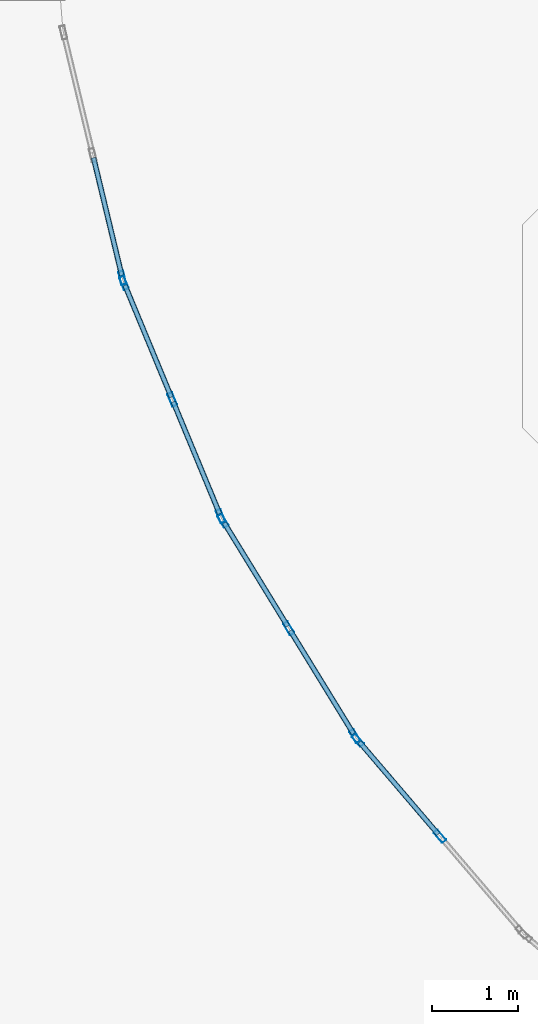
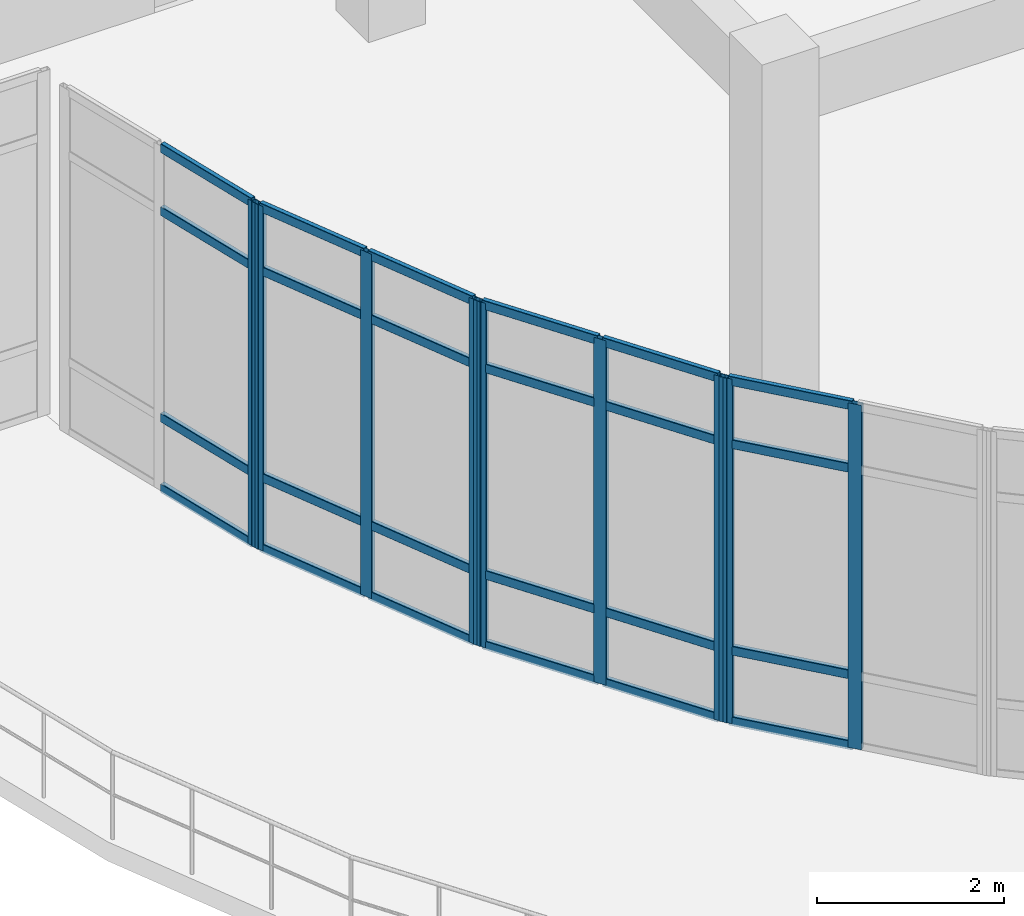
# One storey, part 4 of 76: 33 members, 4 elements without a shape of their own.
"""IFC4 building model written with IfcOpenShell, lengths in metres."""

from ifc_helpers import new_model, si_unit, derived_unit, direction, frame, origin, origin_2d, place, context, subcontext, project, spatial, hollow_rectangle, extrude, material, layer, layer_set, material_profile, profile_set, type_object, element, aggregate, save


model = new_model("IFC4")

# Units and contexts
model_context = context("Model", 3, precision=1e-05, world=origin(), true_north=direction((0.0, 1.0)))
body_context = subcontext(model_context, "Body", "Model", "MODEL_VIEW")
ifc_project = project(units=[si_unit("LENGTHUNIT", "METRE"), si_unit("AREAUNIT", "SQUARE_METRE"), si_unit("VOLUMEUNIT", "CUBIC_METRE"), si_unit("PLANEANGLEUNIT", "RADIAN"), si_unit("MASSUNIT", "GRAM", prefix="KILO"), derived_unit("THERMALTRANSMITTANCEUNIT", [(si_unit("MASSUNIT", "GRAM", prefix="KILO"), 1), (si_unit("TIMEUNIT", "SECOND"), -3), (si_unit("THERMODYNAMICTEMPERATUREUNIT", "KELVIN"), -1)])], contexts=[model_context])

# Site, building, storey
site_placement = place(None, origin())
site = spatial("IfcSite", under=ifc_project, at=site_placement, CompositionType="ELEMENT")
building_placement = place(site_placement, origin())
building = spatial("IfcBuilding", under=site, at=building_placement, Name="Qinzheling Arcade Emporium", CompositionType="ELEMENT")
storey_placement = place(building_placement, frame((0.0, 0.0, 26.699951171875)))
storey = spatial("IfcBuildingStorey", under=building, at=storey_placement, Name="L06", CompositionType="ELEMENT", Elevation=26.699951171875)

# Curtain wall, members
ifc_material_1 = material(Name="Anodised aluminium and solar-control double glazing", Category="aluminium")
ifc_layer = layer(ifc_material_1, 0.159912109375, Name="Anodised aluminium and solar-control double glazing", Category="aluminium")
ifc_layer_set = layer_set([ifc_layer], Name="Anodised aluminium and solar-control double glazing")
curtain_wall_type = type_object("IfcCurtainWallType", Name="Curved Ribbon Sales Curtain Wall", PredefinedType="NOTDEFINED", material=ifc_layer_set)
curtain_wall_1_placement = place(storey_placement, origin())
curtain_wall_1 = element("IfcCurtainWall", 1, at=curtain_wall_1_placement, inside=storey, type_object=curtain_wall_type, Name="Curtain Wall CW-L06-355", PredefinedType="NOTDEFINED")
ifc_material_2 = material(Name="Anodised aluminium 6063-T6", Category="aluminium")
ifc_material_profile_1 = material_profile(ifc_material_2, hollow_rectangle(XDim=0.06005859375, YDim=0.159912109375, WallThickness=0.00390625, InnerFilletRadius=0.00390625, OuterFilletRadius=0.008056640625, at=origin_2d()), Name="RHS 160x60x4", Category="aluminium")
ifc_profile_set_1 = profile_set([ifc_material_profile_1], Name="Anodised aluminium 6063-T6")
member_type_1 = type_object("IfcMemberType", Name="Curtain Wall Mullion RHS160x60", PredefinedType="MULLION", material=ifc_profile_set_1)
member_1_placement = place(storey_placement, frame((14.9970703125, 19.298583984375, 0.0), z_axis=(0.0, 0.0, 1.0), x_axis=(-0.760439246879, -0.649409078937, 0.0)))
member_1 = element("IfcMember", 2, at=member_1_placement, type_object=member_type_1, Name="CW02 mullion 2", PredefinedType="MULLION", context=body_context, shape_type="SweptSolid", body=[
    extrude(hollow_rectangle(XDim=0.06005859375, YDim=0.159912109375, WallThickness=0.00390625, InnerFilletRadius=0.00390625, OuterFilletRadius=0.008056640625, at=origin_2d()), origin(), (0.0, 0.0, 1.0), 4.489990234375),
])
member_2_placement = place(storey_placement, frame((14.048583984375, 20.4091796875, 0.0), z_axis=(0.0, 0.0, 1.0), x_axis=(-0.760439246879, -0.649409078937, 0.0)))
member_2 = element("IfcMember", 3, at=member_2_placement, type_object=member_type_1, Name="CW02 mullion 3", PredefinedType="MULLION", context=body_context, shape_type="SweptSolid", body=[
    extrude(hollow_rectangle(XDim=0.06005859375, YDim=0.159912109375, WallThickness=0.00390625, InnerFilletRadius=0.00390625, OuterFilletRadius=0.008056640625, at=origin_2d()), origin(), (0.0, 0.0, 1.0), 4.489990234375),
])

curtain_wall_2_placement = place(storey_placement, origin())
curtain_wall_2 = element("IfcCurtainWall", 4, at=curtain_wall_2_placement, inside=storey, type_object=curtain_wall_type, Name="Curtain Wall CW-L06-356", PredefinedType="NOTDEFINED")
member_3_placement = place(storey_placement, frame((14.013427734375, 20.45751953125, 0.0), z_axis=(0.0, 0.0, 1.0), x_axis=(-0.852601252413, -0.522562057926, 0.0)))
member_3 = element("IfcMember", 5, at=member_3_placement, type_object=member_type_1, Name="CW02 mullion 1", PredefinedType="MULLION", context=body_context, shape_type="SweptSolid", body=[
    extrude(hollow_rectangle(XDim=0.06005859375, YDim=0.159912109375, WallThickness=0.00390625, InnerFilletRadius=0.00390625, OuterFilletRadius=0.008056640625, at=origin_2d()), origin(), (0.0, 0.0, 1.0), 4.489990234375),
])
member_4_placement = place(storey_placement, frame((13.25, 21.702880859375, 0.0), z_axis=(0.0, 0.0, 1.0), x_axis=(-0.852601252413, -0.522562057926, 0.0)))
member_4 = element("IfcMember", 6, at=member_4_placement, type_object=member_type_1, Name="CW02 mullion 2", PredefinedType="MULLION", context=body_context, shape_type="SweptSolid", body=[
    extrude(hollow_rectangle(XDim=0.06005859375, YDim=0.159912109375, WallThickness=0.00390625, InnerFilletRadius=0.00390625, OuterFilletRadius=0.008056640625, at=origin_2d()), origin(), (0.0, 0.0, 1.0), 4.489990234375),
])
member_5_placement = place(storey_placement, frame((12.486572265625, 22.948486328125, 0.0), z_axis=(0.0, 0.0, 1.0), x_axis=(-0.852601252413, -0.522562057926, 0.0)))
member_5 = element("IfcMember", 7, at=member_5_placement, type_object=member_type_1, Name="CW02 mullion 3", PredefinedType="MULLION", context=body_context, shape_type="SweptSolid", body=[
    extrude(hollow_rectangle(XDim=0.06005859375, YDim=0.159912109375, WallThickness=0.00390625, InnerFilletRadius=0.00390625, OuterFilletRadius=0.008056640625, at=origin_2d()), origin(), (0.0, 0.0, 1.0), 4.489990234375),
])

curtain_wall_3_placement = place(storey_placement, origin())
curtain_wall_3 = element("IfcCurtainWall", 8, at=curtain_wall_3_placement, inside=storey, type_object=curtain_wall_type, Name="Curtain Wall CW-L06-357", PredefinedType="NOTDEFINED")
member_6_placement = place(storey_placement, frame((12.45947265625, 23.001708984375, 0.0), z_axis=(0.0, 0.0, 1.0), x_axis=(-0.923898307913, -0.382638101391, 0.0)))
member_6 = element("IfcMember", 9, at=member_6_placement, type_object=member_type_1, Name="CW02 mullion 1", PredefinedType="MULLION", context=body_context, shape_type="SweptSolid", body=[
    extrude(hollow_rectangle(XDim=0.06005859375, YDim=0.159912109375, WallThickness=0.00390625, InnerFilletRadius=0.00390625, OuterFilletRadius=0.008056640625, at=origin_2d()), origin(), (0.0, 0.0, 1.0), 4.489990234375),
])
member_7_placement = place(storey_placement, frame((11.900390625, 24.3515625, 0.0), z_axis=(0.0, 0.0, 1.0), x_axis=(-0.923898307913, -0.382638101391, 0.0)))
member_7 = element("IfcMember", 10, at=member_7_placement, type_object=member_type_1, Name="CW02 mullion 2", PredefinedType="MULLION", context=body_context, shape_type="SweptSolid", body=[
    extrude(hollow_rectangle(XDim=0.06005859375, YDim=0.159912109375, WallThickness=0.00390625, InnerFilletRadius=0.00390625, OuterFilletRadius=0.008056640625, at=origin_2d()), origin(), (0.0, 0.0, 1.0), 4.489990234375),
])
member_8_placement = place(storey_placement, frame((11.341552734375, 25.701171875, 0.0), z_axis=(0.0, 0.0, 1.0), x_axis=(-0.923898307913, -0.382638101391, 0.0)))
member_8 = element("IfcMember", 11, at=member_8_placement, type_object=member_type_1, Name="CW02 mullion 3", PredefinedType="MULLION", context=body_context, shape_type="SweptSolid", body=[
    extrude(hollow_rectangle(XDim=0.06005859375, YDim=0.159912109375, WallThickness=0.00390625, InnerFilletRadius=0.00390625, OuterFilletRadius=0.008056640625, at=origin_2d()), origin(), (0.0, 0.0, 1.0), 4.489990234375),
])

# Curtain wall, member
curtain_wall_4_placement = place(storey_placement, origin())
curtain_wall_4 = element("IfcCurtainWall", 12, at=curtain_wall_4_placement, inside=storey, type_object=curtain_wall_type, Name="Curtain Wall CW-L06-358", PredefinedType="NOTDEFINED")
member_9_placement = place(storey_placement, frame((11.322998046875, 25.758056640625, 0.0), z_axis=(0.0, 0.0, 1.0), x_axis=(-0.972369031298, -0.233449067193, 0.0)))
member_9 = element("IfcMember", 13, at=member_9_placement, type_object=member_type_1, Name="CW02 mullion 1", PredefinedType="MULLION", context=body_context, shape_type="SweptSolid", body=[
    extrude(hollow_rectangle(XDim=0.06005859375, YDim=0.159912109375, WallThickness=0.00390625, InnerFilletRadius=0.00390625, OuterFilletRadius=0.008056640625, at=origin_2d()), origin(), (0.0, 0.0, 1.0), 4.489990234375),
])

# Member
ifc_material_profile_2 = material_profile(ifc_material_2, hollow_rectangle(XDim=0.06005859375, YDim=0.1201171875, WallThickness=0.00390625, InnerFilletRadius=0.00390625, OuterFilletRadius=0.008056640625, at=origin_2d()), Name="RHS 120x60x4", Category="aluminium")
ifc_profile_set_2 = profile_set([ifc_material_profile_2], Name="Anodised aluminium 6063-T6")
member_type_2 = type_object("IfcMemberType", Name="Curtain Wall Transom RHS120x60", PredefinedType="USERDEFINED", material=ifc_profile_set_2)
member_10_placement = place(storey_placement, frame((14.9775390625, 19.3212890625, 0.030029296875), z_axis=(-0.649412368865, 0.760436437294, 0.0), x_axis=(-0.760436437294, -0.649412368865, 0.0)))
member_10 = element("IfcMember", 14, at=member_10_placement, type_object=member_type_2, Name="CW02 transom 2.1", ObjectType="TRANSOM", PredefinedType="USERDEFINED", context=body_context, shape_type="SweptSolid", body=[
    extrude(hollow_rectangle(XDim=0.06005859375, YDim=0.1201171875, WallThickness=0.00390625, InnerFilletRadius=0.00390625, OuterFilletRadius=0.008056640625, at=origin_2d()), origin(), (0.0, 0.0, 1.0), 1.400634765625),
])

member_11_placement = place(storey_placement, frame((14.9775390625, 19.3212890625, 0.949951171875), z_axis=(-0.649412368865, 0.760436437294, 0.0), x_axis=(-0.760436437294, -0.649412368865, 0.0)))
member_11 = element("IfcMember", 15, at=member_11_placement, type_object=member_type_2, Name="CW02 transom 2.2", ObjectType="TRANSOM", PredefinedType="USERDEFINED", context=body_context, shape_type="SweptSolid", body=[
    extrude(hollow_rectangle(XDim=0.06005859375, YDim=0.1201171875, WallThickness=0.00390625, InnerFilletRadius=0.00390625, OuterFilletRadius=0.008056640625, at=origin_2d()), origin(), (0.0, 0.0, 1.0), 1.400634765625),
])

member_12_placement = place(storey_placement, frame((14.9775390625, 19.3212890625, 3.64013671875), z_axis=(-0.649412368865, 0.760436437294, 0.0), x_axis=(-0.760436437294, -0.649412368865, 0.0)))
member_12 = element("IfcMember", 16, at=member_12_placement, type_object=member_type_2, Name="CW02 transom 2.3", ObjectType="TRANSOM", PredefinedType="USERDEFINED", context=body_context, shape_type="SweptSolid", body=[
    extrude(hollow_rectangle(XDim=0.06005859375, YDim=0.1201171875, WallThickness=0.00390625, InnerFilletRadius=0.00390625, OuterFilletRadius=0.008056640625, at=origin_2d()), origin(), (0.0, 0.0, 1.0), 1.400634765625),
])

member_13_placement = place(storey_placement, frame((14.9775390625, 19.3212890625, 4.4599609375), z_axis=(-0.649412368865, 0.760436437294, 0.0), x_axis=(-0.760436437294, -0.649412368865, 0.0)))
member_13 = element("IfcMember", 17, at=member_13_placement, type_object=member_type_2, Name="CW02 transom 2.4", ObjectType="TRANSOM", PredefinedType="USERDEFINED", context=body_context, shape_type="SweptSolid", body=[
    extrude(hollow_rectangle(XDim=0.06005859375, YDim=0.1201171875, WallThickness=0.00390625, InnerFilletRadius=0.00390625, OuterFilletRadius=0.008056640625, at=origin_2d()), origin(), (0.0, 0.0, 1.0), 1.400634765625),
])

aggregate(curtain_wall_1, [member_1, member_2, member_10, member_11, member_12, member_13])

member_14_placement = place(storey_placement, frame((13.99755859375, 20.483154296875, 0.030029296875), z_axis=(-0.522521187529, 0.852626300664, 0.0), x_axis=(-0.852626300664, -0.522521187529, 0.0)))
member_14 = element("IfcMember", 18, at=member_14_placement, type_object=member_type_2, Name="CW02 transom 1.1", ObjectType="TRANSOM", PredefinedType="USERDEFINED", context=body_context, shape_type="SweptSolid", body=[
    extrude(hollow_rectangle(XDim=0.06005859375, YDim=0.1201171875, WallThickness=0.00390625, InnerFilletRadius=0.00390625, OuterFilletRadius=0.008056640625, at=origin_2d()), origin(), (0.0, 0.0, 1.0), 1.40087890625),
])

member_15_placement = place(storey_placement, frame((13.99755859375, 20.483154296875, 0.949951171875), z_axis=(-0.522521187529, 0.852626300664, 0.0), x_axis=(-0.852626300664, -0.522521187529, 0.0)))
member_15 = element("IfcMember", 19, at=member_15_placement, type_object=member_type_2, Name="CW02 transom 1.2", ObjectType="TRANSOM", PredefinedType="USERDEFINED", context=body_context, shape_type="SweptSolid", body=[
    extrude(hollow_rectangle(XDim=0.06005859375, YDim=0.1201171875, WallThickness=0.00390625, InnerFilletRadius=0.00390625, OuterFilletRadius=0.008056640625, at=origin_2d()), origin(), (0.0, 0.0, 1.0), 1.40087890625),
])

member_16_placement = place(storey_placement, frame((13.99755859375, 20.483154296875, 3.64013671875), z_axis=(-0.522521187529, 0.852626300664, 0.0), x_axis=(-0.852626300664, -0.522521187529, 0.0)))
member_16 = element("IfcMember", 20, at=member_16_placement, type_object=member_type_2, Name="CW02 transom 1.3", ObjectType="TRANSOM", PredefinedType="USERDEFINED", context=body_context, shape_type="SweptSolid", body=[
    extrude(hollow_rectangle(XDim=0.06005859375, YDim=0.1201171875, WallThickness=0.00390625, InnerFilletRadius=0.00390625, OuterFilletRadius=0.008056640625, at=origin_2d()), origin(), (0.0, 0.0, 1.0), 1.40087890625),
])

member_17_placement = place(storey_placement, frame((13.99755859375, 20.483154296875, 4.4599609375), z_axis=(-0.522521187529, 0.852626300664, 0.0), x_axis=(-0.852626300664, -0.522521187529, 0.0)))
member_17 = element("IfcMember", 21, at=member_17_placement, type_object=member_type_2, Name="CW02 transom 1.4", ObjectType="TRANSOM", PredefinedType="USERDEFINED", context=body_context, shape_type="SweptSolid", body=[
    extrude(hollow_rectangle(XDim=0.06005859375, YDim=0.1201171875, WallThickness=0.00390625, InnerFilletRadius=0.00390625, OuterFilletRadius=0.008056640625, at=origin_2d()), origin(), (0.0, 0.0, 1.0), 1.40087890625),
])

member_18_placement = place(storey_placement, frame((13.234375, 21.728515625, 0.030029296875), z_axis=(-0.522521187529, 0.852626300664, 0.0), x_axis=(-0.852626300664, -0.522521187529, 0.0)))
member_18 = element("IfcMember", 22, at=member_18_placement, type_object=member_type_2, Name="CW02 transom 2.1", ObjectType="TRANSOM", PredefinedType="USERDEFINED", context=body_context, shape_type="SweptSolid", body=[
    extrude(hollow_rectangle(XDim=0.06005859375, YDim=0.1201171875, WallThickness=0.00390625, InnerFilletRadius=0.00390625, OuterFilletRadius=0.008056640625, at=origin_2d()), origin(), (0.0, 0.0, 1.0), 1.40087890625),
])

member_19_placement = place(storey_placement, frame((13.234375, 21.728515625, 0.949951171875), z_axis=(-0.522521187529, 0.852626300664, 0.0), x_axis=(-0.852626300664, -0.522521187529, 0.0)))
member_19 = element("IfcMember", 23, at=member_19_placement, type_object=member_type_2, Name="CW02 transom 2.2", ObjectType="TRANSOM", PredefinedType="USERDEFINED", context=body_context, shape_type="SweptSolid", body=[
    extrude(hollow_rectangle(XDim=0.06005859375, YDim=0.1201171875, WallThickness=0.00390625, InnerFilletRadius=0.00390625, OuterFilletRadius=0.008056640625, at=origin_2d()), origin(), (0.0, 0.0, 1.0), 1.40087890625),
])

member_20_placement = place(storey_placement, frame((13.234375, 21.728515625, 3.64013671875), z_axis=(-0.522521187529, 0.852626300664, 0.0), x_axis=(-0.852626300664, -0.522521187529, 0.0)))
member_20 = element("IfcMember", 24, at=member_20_placement, type_object=member_type_2, Name="CW02 transom 2.3", ObjectType="TRANSOM", PredefinedType="USERDEFINED", context=body_context, shape_type="SweptSolid", body=[
    extrude(hollow_rectangle(XDim=0.06005859375, YDim=0.1201171875, WallThickness=0.00390625, InnerFilletRadius=0.00390625, OuterFilletRadius=0.008056640625, at=origin_2d()), origin(), (0.0, 0.0, 1.0), 1.40087890625),
])

member_21_placement = place(storey_placement, frame((13.234375, 21.728515625, 4.4599609375), z_axis=(-0.522521187529, 0.852626300664, 0.0), x_axis=(-0.852626300664, -0.522521187529, 0.0)))
member_21 = element("IfcMember", 25, at=member_21_placement, type_object=member_type_2, Name="CW02 transom 2.4", ObjectType="TRANSOM", PredefinedType="USERDEFINED", context=body_context, shape_type="SweptSolid", body=[
    extrude(hollow_rectangle(XDim=0.06005859375, YDim=0.1201171875, WallThickness=0.00390625, InnerFilletRadius=0.00390625, OuterFilletRadius=0.008056640625, at=origin_2d()), origin(), (0.0, 0.0, 1.0), 1.40087890625),
])

aggregate(curtain_wall_2, [member_3, member_4, member_5, member_14, member_15, member_16, member_17, member_18, member_19, member_20, member_21])

member_22_placement = place(storey_placement, frame((12.447998046875, 23.029541015625, 0.030029296875), z_axis=(-0.382721202621, 0.923863886655, 0.0), x_axis=(-0.923863886655, -0.382721202621, 0.0)))
member_22 = element("IfcMember", 26, at=member_22_placement, type_object=member_type_2, Name="CW02 transom 1.1", ObjectType="TRANSOM", PredefinedType="USERDEFINED", context=body_context, shape_type="SweptSolid", body=[
    extrude(hollow_rectangle(XDim=0.06005859375, YDim=0.1201171875, WallThickness=0.00390625, InnerFilletRadius=0.00390625, OuterFilletRadius=0.008056640625, at=origin_2d()), origin(), (0.0, 0.0, 1.0), 1.40087890625),
])

member_23_placement = place(storey_placement, frame((12.447998046875, 23.029541015625, 0.949951171875), z_axis=(-0.382721202621, 0.923863886655, 0.0), x_axis=(-0.923863886655, -0.382721202621, 0.0)))
member_23 = element("IfcMember", 27, at=member_23_placement, type_object=member_type_2, Name="CW02 transom 1.2", ObjectType="TRANSOM", PredefinedType="USERDEFINED", context=body_context, shape_type="SweptSolid", body=[
    extrude(hollow_rectangle(XDim=0.06005859375, YDim=0.1201171875, WallThickness=0.00390625, InnerFilletRadius=0.00390625, OuterFilletRadius=0.008056640625, at=origin_2d()), origin(), (0.0, 0.0, 1.0), 1.40087890625),
])

member_24_placement = place(storey_placement, frame((12.447998046875, 23.029541015625, 3.64013671875), z_axis=(-0.382721202621, 0.923863886655, 0.0), x_axis=(-0.923863886655, -0.382721202621, 0.0)))
member_24 = element("IfcMember", 28, at=member_24_placement, type_object=member_type_2, Name="CW02 transom 1.3", ObjectType="TRANSOM", PredefinedType="USERDEFINED", context=body_context, shape_type="SweptSolid", body=[
    extrude(hollow_rectangle(XDim=0.06005859375, YDim=0.1201171875, WallThickness=0.00390625, InnerFilletRadius=0.00390625, OuterFilletRadius=0.008056640625, at=origin_2d()), origin(), (0.0, 0.0, 1.0), 1.40087890625),
])

member_25_placement = place(storey_placement, frame((12.447998046875, 23.029541015625, 4.4599609375), z_axis=(-0.382721202621, 0.923863886655, 0.0), x_axis=(-0.923863886655, -0.382721202621, 0.0)))
member_25 = element("IfcMember", 29, at=member_25_placement, type_object=member_type_2, Name="CW02 transom 1.4", ObjectType="TRANSOM", PredefinedType="USERDEFINED", context=body_context, shape_type="SweptSolid", body=[
    extrude(hollow_rectangle(XDim=0.06005859375, YDim=0.1201171875, WallThickness=0.00390625, InnerFilletRadius=0.00390625, OuterFilletRadius=0.008056640625, at=origin_2d()), origin(), (0.0, 0.0, 1.0), 1.40087890625),
])

member_26_placement = place(storey_placement, frame((11.888916015625, 24.379150390625, 0.030029296875), z_axis=(-0.382510836698, 0.923951005091, 0.0), x_axis=(-0.923951005091, -0.382510836698, 0.0)))
member_26 = element("IfcMember", 30, at=member_26_placement, type_object=member_type_2, Name="CW02 transom 2.1", ObjectType="TRANSOM", PredefinedType="USERDEFINED", context=body_context, shape_type="SweptSolid", body=[
    extrude(hollow_rectangle(XDim=0.06005859375, YDim=0.1201171875, WallThickness=0.00390625, InnerFilletRadius=0.00390625, OuterFilletRadius=0.008056640625, at=origin_2d()), origin(), (0.0, 0.0, 1.0), 1.40087890625),
])

member_27_placement = place(storey_placement, frame((11.888916015625, 24.379150390625, 0.949951171875), z_axis=(-0.382510836698, 0.923951005091, 0.0), x_axis=(-0.923951005091, -0.382510836698, 0.0)))
member_27 = element("IfcMember", 31, at=member_27_placement, type_object=member_type_2, Name="CW02 transom 2.2", ObjectType="TRANSOM", PredefinedType="USERDEFINED", context=body_context, shape_type="SweptSolid", body=[
    extrude(hollow_rectangle(XDim=0.06005859375, YDim=0.1201171875, WallThickness=0.00390625, InnerFilletRadius=0.00390625, OuterFilletRadius=0.008056640625, at=origin_2d()), origin(), (0.0, 0.0, 1.0), 1.40087890625),
])

member_28_placement = place(storey_placement, frame((11.888916015625, 24.379150390625, 3.64013671875), z_axis=(-0.382510836698, 0.923951005091, 0.0), x_axis=(-0.923951005091, -0.382510836698, 0.0)))
member_28 = element("IfcMember", 32, at=member_28_placement, type_object=member_type_2, Name="CW02 transom 2.3", ObjectType="TRANSOM", PredefinedType="USERDEFINED", context=body_context, shape_type="SweptSolid", body=[
    extrude(hollow_rectangle(XDim=0.06005859375, YDim=0.1201171875, WallThickness=0.00390625, InnerFilletRadius=0.00390625, OuterFilletRadius=0.008056640625, at=origin_2d()), origin(), (0.0, 0.0, 1.0), 1.40087890625),
])

member_29_placement = place(storey_placement, frame((11.888916015625, 24.379150390625, 4.4599609375), z_axis=(-0.382510836698, 0.923951005091, 0.0), x_axis=(-0.923951005091, -0.382510836698, 0.0)))
member_29 = element("IfcMember", 33, at=member_29_placement, type_object=member_type_2, Name="CW02 transom 2.4", ObjectType="TRANSOM", PredefinedType="USERDEFINED", context=body_context, shape_type="SweptSolid", body=[
    extrude(hollow_rectangle(XDim=0.06005859375, YDim=0.1201171875, WallThickness=0.00390625, InnerFilletRadius=0.00390625, OuterFilletRadius=0.008056640625, at=origin_2d()), origin(), (0.0, 0.0, 1.0), 1.40087890625),
])

aggregate(curtain_wall_3, [member_6, member_7, member_8, member_22, member_23, member_24, member_25, member_26, member_27, member_28, member_29])

member_30_placement = place(storey_placement, frame((11.31591796875, 25.787353515625, 0.030029296875), z_axis=(-0.233379544524, 0.972385719865, 0.0), x_axis=(-0.972385719865, -0.233379544524, 0.0)))
member_30 = element("IfcMember", 34, at=member_30_placement, type_object=member_type_2, Name="CW02 transom 1.1", ObjectType="TRANSOM", PredefinedType="USERDEFINED", context=body_context, shape_type="SweptSolid", body=[
    extrude(hollow_rectangle(XDim=0.06005859375, YDim=0.1201171875, WallThickness=0.00390625, InnerFilletRadius=0.00390625, OuterFilletRadius=0.008056640625, at=origin_2d()), origin(), (0.0, 0.0, 1.0), 1.400634765625),
])

member_31_placement = place(storey_placement, frame((11.31591796875, 25.787353515625, 0.949951171875), z_axis=(-0.233379544524, 0.972385719865, 0.0), x_axis=(-0.972385719865, -0.233379544524, 0.0)))
member_31 = element("IfcMember", 35, at=member_31_placement, type_object=member_type_2, Name="CW02 transom 1.2", ObjectType="TRANSOM", PredefinedType="USERDEFINED", context=body_context, shape_type="SweptSolid", body=[
    extrude(hollow_rectangle(XDim=0.06005859375, YDim=0.1201171875, WallThickness=0.00390625, InnerFilletRadius=0.00390625, OuterFilletRadius=0.008056640625, at=origin_2d()), origin(), (0.0, 0.0, 1.0), 1.400634765625),
])

member_32_placement = place(storey_placement, frame((11.31591796875, 25.787353515625, 3.64013671875), z_axis=(-0.233379544524, 0.972385719865, 0.0), x_axis=(-0.972385719865, -0.233379544524, 0.0)))
member_32 = element("IfcMember", 36, at=member_32_placement, type_object=member_type_2, Name="CW02 transom 1.3", ObjectType="TRANSOM", PredefinedType="USERDEFINED", context=body_context, shape_type="SweptSolid", body=[
    extrude(hollow_rectangle(XDim=0.06005859375, YDim=0.1201171875, WallThickness=0.00390625, InnerFilletRadius=0.00390625, OuterFilletRadius=0.008056640625, at=origin_2d()), origin(), (0.0, 0.0, 1.0), 1.400634765625),
])

member_33_placement = place(storey_placement, frame((11.31591796875, 25.787353515625, 4.4599609375), z_axis=(-0.233379544524, 0.972385719865, 0.0), x_axis=(-0.972385719865, -0.233379544524, 0.0)))
member_33 = element("IfcMember", 37, at=member_33_placement, type_object=member_type_2, Name="CW02 transom 1.4", ObjectType="TRANSOM", PredefinedType="USERDEFINED", context=body_context, shape_type="SweptSolid", body=[
    extrude(hollow_rectangle(XDim=0.06005859375, YDim=0.1201171875, WallThickness=0.00390625, InnerFilletRadius=0.00390625, OuterFilletRadius=0.008056640625, at=origin_2d()), origin(), (0.0, 0.0, 1.0), 1.400634765625),
])

aggregate(curtain_wall_4, [member_9, member_30, member_31, member_32, member_33])

save(model, "model.ifc")
